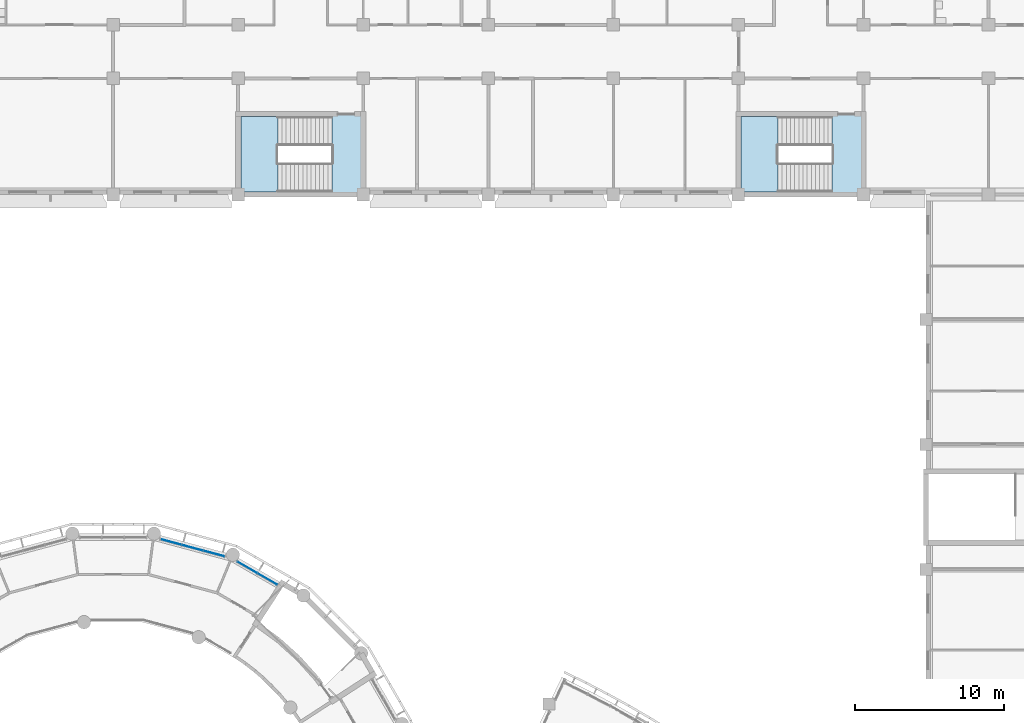
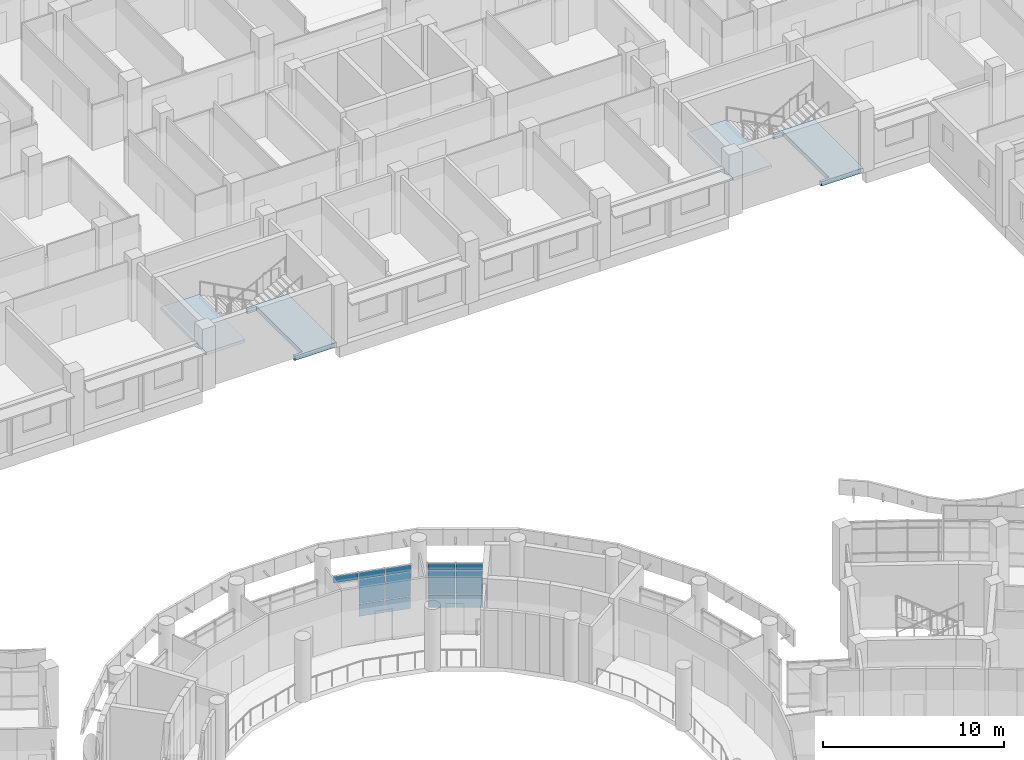
# One storey, part 40 of 109: 13 plates, 4 slabs, 4 elements without a shape of their own.
"""IFC4 building model written with IfcOpenShell, lengths in metres."""

import ifcopenshell
import ifcopenshell.guid

model = None  # the IFC model being written
_history = None  # IfcOwnerHistory: only IFC2X3 demands one
_inside = {}  # id of a spatial element -> (the spatial element, [elements in it])
_under = {}  # id of a project, library or spatial element -> (it, [spatial elements below it])
_declared = {}  # id of a project -> (the project, [libraries it declares])
_typed = {}  # id of a type object -> (the type object, [elements of that type])
_made_of = {}  # id of a material, layer set ... -> (it, [elements and type objects made of it])


def new_model(schema):
    """Start an empty IFC model of exactly this schema.

    Asked for "IFC4X3", IfcOpenShell would pick the latest addendum, in which some entities
    have other attributes; the version numbers below select the first issue.
    IFC2X3 requires an IfcOwnerHistory on every rooted entity: one is made here for all.
    """
    global model, _history
    if schema == "IFC4X3":
        model = ifcopenshell.file(schema_version=(4, 3, 0, 0))
    else:
        model = ifcopenshell.file(schema=schema)
    _inside.clear()
    _under.clear()
    _declared.clear()
    _typed.clear()
    _made_of.clear()
    _history = None
    if model.schema == "IFC2X3":
        org = make("IfcOrganization", Name="unknown")
        user = make(
            "IfcPersonAndOrganization",
            ThePerson=make("IfcPerson", FamilyName="unknown"),
            TheOrganization=org,
        )
        app = make(
            "IfcApplication",
            ApplicationDeveloper=org,
            Version="unknown",
            ApplicationFullName="unknown",
            ApplicationIdentifier="unknown",
        )
        _history = make(
            "IfcOwnerHistory",
            OwningUser=user,
            OwningApplication=app,
            ChangeAction="ADDED",
            CreationDate=0,
        )
    return model


def make(cls, **values):
    """One entity of the class cls with the attributes given. An attribute that is None is left unset."""
    return model.create_entity(
        cls, **{name: value for name, value in values.items() if value is not None}
    )


def rooted(cls, **values):
    """An entity with a GlobalId (a new one), such as an element, a storey or a relation."""
    return make(cls, GlobalId=ifcopenshell.guid.new(), OwnerHistory=_history, **values)


def si_unit(unit_type, name, prefix=None):
    """IfcSIUnit, for example si_unit("LENGTHUNIT", "METRE", prefix="MILLI")."""
    return make("IfcSIUnit", UnitType=unit_type, Prefix=prefix, Name=name)


def assignment(units):
    """IfcUnitAssignment: the units of a project."""
    return None if units is None else make("IfcUnitAssignment", Units=units)


def point(xyz):
    """IfcCartesianPoint."""
    return None if xyz is None else make("IfcCartesianPoint", Coordinates=xyz)


def direction(xyz):
    """IfcDirection."""
    return None if xyz is None else make("IfcDirection", DirectionRatios=xyz)


def frame(location, z_axis=None, x_axis=None):
    """IfcAxis2Placement3D, a coordinate frame: its origin and axes. An axis left out is left unset."""
    return make(
        "IfcAxis2Placement3D",
        Location=point(location),
        Axis=direction(z_axis),
        RefDirection=direction(x_axis),
    )


def frame_2d(location, x_axis=None):
    """IfcAxis2Placement2D, a coordinate frame in the plane: its origin and x axis."""
    return make(
        "IfcAxis2Placement2D", Location=point(location), RefDirection=direction(x_axis)
    )


def origin():
    """The frame at (0, 0, 0) with its axes left unset."""
    return frame((0.0, 0.0, 0.0))


def origin_2d():
    """The frame at (0, 0) in the plane with its x axis left unset."""
    return frame_2d((0.0, 0.0))


def place(relative_to, where):
    """IfcLocalPlacement: puts the frame where relative to a parent placement (None: the world)."""
    return make(
        "IfcLocalPlacement", PlacementRelTo=relative_to, RelativePlacement=where
    )


def context(
    kind, dimensions, precision=None, world=None, true_north=None, identifier=None
):
    """IfcGeometricRepresentationContext, for example the 3D "Model" context."""
    return make(
        "IfcGeometricRepresentationContext",
        ContextIdentifier=identifier,
        ContextType=kind,
        CoordinateSpaceDimension=dimensions,
        Precision=precision,
        WorldCoordinateSystem=world,
        TrueNorth=true_north,
    )


def subcontext(parent, identifier, kind, view, scale=None):
    """IfcGeometricRepresentationSubContext, for example "Body" below "Model"."""
    return make(
        "IfcGeometricRepresentationSubContext",
        ContextIdentifier=identifier,
        ContextType=kind,
        ParentContext=parent,
        TargetScale=scale,
        TargetView=view,
    )


def project(units=None, contexts=None):
    """IfcProject with its units and contexts."""
    return rooted(
        "IfcProject",
        Name="project",
        RepresentationContexts=contexts,
        UnitsInContext=assignment(units),
    )


def spatial(cls, under=None, at=None, **own):
    """A site, building, storey or space (cls), placed at a placement, below another one or the project."""
    s = rooted(cls, ObjectPlacement=at, **own)
    if under is not None:
        _under.setdefault(under.id(), (under, []))[1].append(s)
    return s


def polyline(points):
    """IfcPolyline through the points."""
    return make("IfcPolyline", Points=[point(p) for p in points])


def profile(cls, at=None, kind="AREA", **sizes):
    """A parametric profile (cls). Its sizes go by their IFC names, for example OverallWidth=200.0."""
    return make(cls, ProfileType=kind, Position=at, **sizes)


def rectangle(**sizes):
    """IfcRectangleProfileDef."""
    return profile("IfcRectangleProfileDef", **sizes)


def outline(outer, holes=None, kind="AREA"):
    """IfcArbitraryClosedProfileDef: a profile drawn as a closed curve; with holes, ...WithVoids."""
    if holes is None:
        return make("IfcArbitraryClosedProfileDef", ProfileType=kind, OuterCurve=outer)
    return make(
        "IfcArbitraryProfileDefWithVoids",
        ProfileType=kind,
        OuterCurve=outer,
        InnerCurves=holes,
    )


def extrude(swept, where, along, depth):
    """IfcExtrudedAreaSolid: the profile swept, set in the frame where, extruded along a direction by depth."""
    return make(
        "IfcExtrudedAreaSolid",
        SweptArea=swept,
        Position=where,
        ExtrudedDirection=direction(along),
        Depth=depth,
    )


def shape(context_of_items, identifier, shape_type, items):
    """IfcShapeRepresentation: the items that make up one representation, for example the "Body"."""
    return make(
        "IfcShapeRepresentation",
        ContextOfItems=context_of_items,
        RepresentationIdentifier=identifier,
        RepresentationType=shape_type,
        Items=items,
    )


def material(Name=None, Category=None):
    """IfcMaterial."""
    return make("IfcMaterial", Name=Name, Category=Category)


def layer(
    of_material, thickness, ventilated=None, Name=None, Category=None, Priority=None
):
    """IfcMaterialLayer: one layer of a wall or slab, of a material (None: an air gap)."""
    return make(
        "IfcMaterialLayer",
        Material=of_material,
        LayerThickness=thickness,
        IsVentilated=ventilated,
        Name=Name,
        Category=Category,
        Priority=Priority,
    )


def layer_set(layers, Name=None):
    """IfcMaterialLayerSet."""
    return make("IfcMaterialLayerSet", MaterialLayers=layers, LayerSetName=Name)


def made_of(thing, what):
    """Note that an element or type object is made of a material, layer set ...; save() writes the relation."""
    if what is not None:
        _made_of.setdefault(what.id(), (what, []))[1].append(thing)
    return thing


def type_object(cls, material=None, **own):
    """A type object (cls), such as IfcWallType, which elements share."""
    return made_of(rooted(cls, **own), material)


def element(
    cls,
    number,
    at=None,
    inside=None,
    cuts=None,
    type_object=None,
    material=None,
    context=None,
    identifier="Body",
    shape_type=None,
    held_by="IfcProductDefinitionShape",
    body=None,
    shapes=None,
    **own,
):
    """One element of the class cls, such as IfcWall. Its Tag is "e" and its number.

    at: its placement. inside: the storey or other place that contains it. cuts: it is an
    opening in that element (IfcRelVoidsElement). A single representation is given by context,
    identifier, shape_type and body (its items); several are given by shapes. held_by: the class
    of the entity that holds the representations. save() writes the other relations.
    """
    e = rooted(cls, Tag="e%d" % number, ObjectPlacement=at, **own)
    if body is not None:
        shapes = [shape(context, identifier, shape_type, body)]
    if shapes is not None:
        e.Representation = make(held_by, Representations=shapes)
    if inside is not None:
        _inside.setdefault(inside.id(), (inside, []))[1].append(e)
    if cuts is not None:
        rooted(
            "IfcRelVoidsElement", RelatingBuildingElement=cuts, RelatedOpeningElement=e
        )
    if type_object is not None:
        _typed.setdefault(type_object.id(), (type_object, []))[1].append(e)
    return made_of(e, material)


def aggregate(whole, parts):
    """IfcRelAggregates: a whole, such as a stair, and the parts it consists of."""
    return rooted("IfcRelAggregates", RelatingObject=whole, RelatedObjects=parts)


def save(model, path):
    """Write the relations noted so far, then the file.

    IfcRelAggregates (storeys below a building ...), IfcRelContainedInSpatialStructure (elements
    in a storey), IfcRelDefinesByType, IfcRelAssociatesMaterial and IfcRelDeclares: one each for
    every whole, place, type object, material and project.
    """
    for whole, parts in _under.values():
        aggregate(whole, parts)
    for where, things in _inside.values():
        rooted(
            "IfcRelContainedInSpatialStructure",
            RelatedElements=things,
            RelatingStructure=where,
        )
    for kind, things in _typed.values():
        rooted("IfcRelDefinesByType", RelatedObjects=things, RelatingType=kind)
    for what, things in _made_of.values():
        rooted("IfcRelAssociatesMaterial", RelatedObjects=things, RelatingMaterial=what)
    for by, libraries in _declared.values():
        rooted("IfcRelDeclares", RelatingContext=by, RelatedDefinitions=libraries)
    model.write(path)


model = new_model("IFC4")

# Units and contexts
model_context = context("Model", 3, precision=1e-05, world=origin(), true_north=direction((0.0, 1.0)))
body_context = subcontext(model_context, "Body", "Model", "MODEL_VIEW")
ifc_project = project(units=[si_unit("LENGTHUNIT", "METRE"), si_unit("AREAUNIT", "SQUARE_METRE"), si_unit("VOLUMEUNIT", "CUBIC_METRE"), si_unit("PLANEANGLEUNIT", "RADIAN"), si_unit("MASSUNIT", "GRAM", prefix="KILO")], contexts=[model_context])

# Site, building, storey
site_placement = place(None, origin())
site = spatial("IfcSite", under=ifc_project, at=site_placement, CompositionType="ELEMENT")
building_placement = place(site_placement, origin())
building = spatial("IfcBuilding", under=site, at=building_placement, Name="Bougainvillea Quay General Hospital", CompositionType="ELEMENT")
storey_placement = place(building_placement, frame((0.0, 0.0, 12.60009765625)))
storey = spatial("IfcBuildingStorey", under=building, at=storey_placement, Name="L02", CompositionType="ELEMENT", Elevation=12.60009765625)

# Curtain wall, plates
ifc_material_1 = material(Name="Aluminium curtain wall system, powder-coated glazed", Category="aluminium")
curtain_wall_type_1 = type_object("IfcCurtainWallType", Name="Unitised curtain wall CW-1585", PredefinedType="NOTDEFINED", material=ifc_material_1)
curtain_wall_1_placement = place(storey_placement, origin())
curtain_wall_1 = element("IfcCurtainWall", 1, at=curtain_wall_1_placement, inside=storey, type_object=curtain_wall_type_1, Name="CW-D 00", PredefinedType="NOTDEFINED")
ifc_material_2 = material(Name="Insulated aluminium spandrel panel, white", Category="aluminium")
ifc_layer_1 = layer(ifc_material_2, 0.028076171875)
ifc_layer_set_1 = layer_set([ifc_layer_1], Name="Insulated aluminium spandrel panel, white")
plate_type_1 = type_object("IfcPlateType", Name="Insulated spandrel panel white 28", PredefinedType="CURTAIN_PANEL", material=ifc_layer_set_1)
plate_1_placement = place(storey_placement, frame((119.56396484375, 91.768310546875, 0.059814453125), z_axis=(0.0, 0.0, 1.0), x_axis=(-0.866045865692, 0.499964557262, 0.0)))
plate_1 = element("IfcPlate", 2, at=plate_1_placement, type_object=plate_type_1, Name="CW-D spandrel panel 1.1", PredefinedType="CURTAIN_PANEL", context=body_context, shape_type="SweptSolid", body=[
    extrude(rectangle(XDim=1.494873046875, YDim=0.028076171875, at=origin_2d()), origin(), (0.0, 0.0, 1.0), 0.81005859375),
])
plate_2_placement = place(storey_placement, frame((119.56396484375, 91.768310546875, 2.580078125), z_axis=(0.0, 0.0, 1.0), x_axis=(-0.866045865692, 0.499964557262, 0.0)))
plate_2 = element("IfcPlate", 3, at=plate_2_placement, type_object=plate_type_1, Name="CW-D spandrel panel 1.3", PredefinedType="CURTAIN_PANEL", context=body_context, shape_type="SweptSolid", body=[
    extrude(rectangle(XDim=1.494873046875, YDim=0.028076171875, at=origin_2d()), origin(), (0.0, 0.0, 1.0), 0.409912109375),
])
plate_3_placement = place(storey_placement, frame((118.21728515625, 92.5458984375, 0.059814453125), z_axis=(0.0, 0.0, 1.0), x_axis=(-0.866045865692, 0.499964557262, 0.0)))
plate_3 = element("IfcPlate", 4, at=plate_3_placement, type_object=plate_type_1, Name="CW-D spandrel panel 2.1", PredefinedType="CURTAIN_PANEL", context=body_context, shape_type="SweptSolid", body=[
    extrude(rectangle(XDim=1.494873046875, YDim=0.028076171875, at=origin_2d()), origin(), (0.0, 0.0, 1.0), 0.81005859375),
])
plate_4_placement = place(storey_placement, frame((118.21728515625, 92.5458984375, 2.580078125), z_axis=(0.0, 0.0, 1.0), x_axis=(-0.866045865692, 0.499964557262, 0.0)))
plate_4 = element("IfcPlate", 5, at=plate_4_placement, type_object=plate_type_1, Name="CW-D spandrel panel 2.3", PredefinedType="CURTAIN_PANEL", context=body_context, shape_type="SweptSolid", body=[
    extrude(rectangle(XDim=1.494873046875, YDim=0.028076171875, at=origin_2d()), origin(), (0.0, 0.0, 1.0), 0.409912109375),
])

curtain_wall_type_2 = type_object("IfcCurtainWallType", Name="Unitised curtain wall CW-1514", PredefinedType="NOTDEFINED", material=ifc_material_1)
curtain_wall_2_placement = place(storey_placement, origin())
curtain_wall_2 = element("IfcCurtainWall", 6, at=curtain_wall_2_placement, inside=storey, type_object=curtain_wall_type_2, Name="CW-D 00", PredefinedType="NOTDEFINED")
plate_5_placement = place(storey_placement, frame((115.9716796875, 93.48095703125, 0.059814453125), z_axis=(0.0, 0.0, 1.0), x_axis=(-0.965916292974, 0.258854621298, 0.0)))
plate_5 = element("IfcPlate", 7, at=plate_5_placement, type_object=plate_type_1, Name="CW-D spandrel panel 1.1", PredefinedType="CURTAIN_PANEL", context=body_context, shape_type="SweptSolid", body=[
    extrude(rectangle(XDim=1.423828125, YDim=0.028076171875, at=origin_2d()), origin(), (0.0, 0.0, 1.0), 0.81005859375),
])
plate_6_placement = place(storey_placement, frame((115.9716796875, 93.48095703125, 2.580078125), z_axis=(0.0, 0.0, 1.0), x_axis=(-0.965916292974, 0.258854621298, 0.0)))
plate_6 = element("IfcPlate", 8, at=plate_6_placement, type_object=plate_type_1, Name="CW-D spandrel panel 1.3", PredefinedType="CURTAIN_PANEL", context=body_context, shape_type="SweptSolid", body=[
    extrude(rectangle(XDim=1.423828125, YDim=0.028076171875, at=origin_2d()), origin(), (0.0, 0.0, 1.0), 0.409912109375),
])
plate_7_placement = place(storey_placement, frame((114.523681640625, 93.869140625, 0.059814453125), z_axis=(0.0, 0.0, 1.0), x_axis=(-0.965916292974, 0.258854621298, 0.0)))
plate_7 = element("IfcPlate", 9, at=plate_7_placement, type_object=plate_type_1, Name="CW-D spandrel panel 2.1", PredefinedType="CURTAIN_PANEL", context=body_context, shape_type="SweptSolid", body=[
    extrude(rectangle(XDim=1.453857421875, YDim=0.028076171875, at=origin_2d()), origin(), (0.0, 0.0, 1.0), 0.81005859375),
])
plate_8_placement = place(storey_placement, frame((114.523681640625, 93.869140625, 2.580078125), z_axis=(0.0, 0.0, 1.0), x_axis=(-0.965916292974, 0.258854621298, 0.0)))
plate_8 = element("IfcPlate", 10, at=plate_8_placement, type_object=plate_type_1, Name="CW-D spandrel panel 2.3", PredefinedType="CURTAIN_PANEL", context=body_context, shape_type="SweptSolid", body=[
    extrude(rectangle(XDim=1.453857421875, YDim=0.028076171875, at=origin_2d()), origin(), (0.0, 0.0, 1.0), 0.409912109375),
])
plate_9_placement = place(storey_placement, frame((113.075927734375, 94.257080078125, 2.580078125), z_axis=(0.0, 0.0, 1.0), x_axis=(-0.965916292974, 0.258854621298, 0.0)))
plate_9 = element("IfcPlate", 11, at=plate_9_placement, type_object=plate_type_1, Name="CW-D spandrel panel 3.3", PredefinedType="CURTAIN_PANEL", context=body_context, shape_type="SweptSolid", body=[
    extrude(rectangle(XDim=1.423828125, YDim=0.028076171875, at=origin_2d()), origin(), (0.0, 0.0, 1.0), 0.409912109375),
])

# Plate
ifc_material_3 = material(Name="Low-e laminated glass, solar control", Category="glass")
ifc_layer_2 = layer(ifc_material_3, 0.028076171875)
ifc_layer_set_2 = layer_set([ifc_layer_2], Name="Low-e laminated glass, solar control")
plate_type_2 = type_object("IfcPlateType", Name="Low-e laminated vision glass 28", PredefinedType="CURTAIN_PANEL", material=ifc_layer_set_2)
plate_10_placement = place(storey_placement, frame((119.56396484375, 91.768310546875, 0.9296875), z_axis=(0.0, 0.0, 1.0), x_axis=(-0.866045865692, 0.499964557262, 0.0)))
plate_10 = element("IfcPlate", 12, at=plate_10_placement, type_object=plate_type_2, Name="CW-D vision glass panel 1.2", PredefinedType="CURTAIN_PANEL", context=body_context, shape_type="SweptSolid", body=[
    extrude(rectangle(XDim=1.494873046875, YDim=0.028076171875, at=origin_2d()), origin(), (0.0, 0.0, 1.0), 1.590087890625),
])

plate_11_placement = place(storey_placement, frame((118.21728515625, 92.5458984375, 0.9296875), z_axis=(0.0, 0.0, 1.0), x_axis=(-0.866045865692, 0.499964557262, 0.0)))
plate_11 = element("IfcPlate", 13, at=plate_11_placement, type_object=plate_type_2, Name="CW-D vision glass panel 2.2", PredefinedType="CURTAIN_PANEL", context=body_context, shape_type="SweptSolid", body=[
    extrude(rectangle(XDim=1.494873046875, YDim=0.028076171875, at=origin_2d()), origin(), (0.0, 0.0, 1.0), 1.590087890625),
])

aggregate(curtain_wall_1, [plate_1, plate_10, plate_2, plate_3, plate_11, plate_4])

plate_12_placement = place(storey_placement, frame((115.9716796875, 93.48095703125, 0.9296875), z_axis=(0.0, 0.0, 1.0), x_axis=(-0.965916292974, 0.258854621298, 0.0)))
plate_12 = element("IfcPlate", 14, at=plate_12_placement, type_object=plate_type_2, Name="CW-D vision glass panel 1.2", PredefinedType="CURTAIN_PANEL", context=body_context, shape_type="SweptSolid", body=[
    extrude(rectangle(XDim=1.423828125, YDim=0.028076171875, at=origin_2d()), origin(), (0.0, 0.0, 1.0), 1.590087890625),
])

plate_13_placement = place(storey_placement, frame((114.523681640625, 93.869140625, 0.9296875), z_axis=(0.0, 0.0, 1.0), x_axis=(-0.965916292974, 0.258854621298, 0.0)))
plate_13 = element("IfcPlate", 15, at=plate_13_placement, type_object=plate_type_2, Name="CW-D vision glass panel 2.2", PredefinedType="CURTAIN_PANEL", context=body_context, shape_type="SweptSolid", body=[
    extrude(rectangle(XDim=1.453857421875, YDim=0.028076171875, at=origin_2d()), origin(), (0.0, 0.0, 1.0), 1.590087890625),
])

aggregate(curtain_wall_2, [plate_5, plate_12, plate_6, plate_7, plate_13, plate_8, plate_9])

# Slabs
ifc_material_4 = material(Name="Concrete C35", Category="concrete")
ifc_layer_3 = layer(ifc_material_4, 0.300048828125)
ifc_layer_set_3 = layer_set([ifc_layer_3], Name="Concrete C35")
slab_type_1 = type_object("IfcSlabType", Name="RC FLAT SLAB 300 C35", PredefinedType="FLOOR", material=ifc_layer_set_3)
slab_1_placement = place(storey_placement, frame((0.0, 0.0, -0.300048828125)))
element("IfcSlab", 16, at=slab_1_placement, inside=storey, type_object=slab_type_1, Name="Stair landing floor ST-B3 L02", PredefinedType="FLOOR", context=body_context, shape_type="SweptSolid", body=[
    extrude(outline(polyline([(123.302978515625, 122.8837890625), (123.3115234375, 122.942138671875), (123.325927734375, 122.99951171875), (126.0, 123.0), (126.0, 117.60009765625), (123.325927734375, 117.600341796875), (123.3115234375, 117.657958984375), (123.302978515625, 117.71630859375), (123.300048828125, 117.77392578125), (123.900634765625, 117.7744140625), (123.900634765625, 122.82568359375), (123.300048828125, 122.825927734375), (123.302978515625, 122.8837890625)])), origin(), (0.0, 0.0, 1.0), 0.300048828125),
])
slab_2_placement = place(storey_placement, frame((0.0, 0.0, -0.300048828125)))
element("IfcSlab", 17, at=slab_2_placement, inside=storey, type_object=slab_type_1, Name="Stair landing floor ST-B4 L02", PredefinedType="FLOOR", context=body_context, shape_type="SweptSolid", body=[
    extrude(outline(polyline([(156.90283203125, 122.8837890625), (156.91162109375, 122.942138671875), (156.926025390625, 122.99951171875), (159.60009765625, 123.0), (159.60009765625, 117.60009765625), (156.926025390625, 117.600341796875), (156.91162109375, 117.657958984375), (156.90283203125, 117.71630859375), (156.89990234375, 117.77392578125), (157.500732421875, 117.7744140625), (157.500732421875, 122.82568359375), (156.89990234375, 122.825927734375), (156.90283203125, 122.8837890625)])), origin(), (0.0, 0.0, 1.0), 0.300048828125),
])

# Stair, slab
stair_type = type_object("IfcStairType", Name="Stair half-turn 1925 wide", PredefinedType="HALF_TURN_STAIR", material=ifc_material_4)
stair_1_placement = place(storey_placement, origin())
stair_1 = element("IfcStair", 18, at=stair_1_placement, inside=storey, type_object=stair_type, Name="L02 stair ST-B3", PredefinedType="HALF_TURN_STAIR")
ifc_layer_4 = layer(ifc_material_4, 0.199951171875)
ifc_layer_set_4 = layer_set([ifc_layer_4], Name="Concrete C35")
slab_type_2 = type_object("IfcSlabType", Name="Stair landing 200", PredefinedType="LANDING", material=ifc_layer_set_4)
slab_3_placement = place(storey_placement, frame((0.0, 0.0, 1.89990234375)))
slab_3 = element("IfcSlab", 19, at=slab_3_placement, type_object=slab_type_2, Name="ST-B3 landing 1", PredefinedType="LANDING", context=body_context, shape_type="SweptSolid", body=[
    extrude(outline(polyline([(120.260009765625, 122.824951171875), (117.77490234375, 122.824951171875), (117.77490234375, 117.77490234375), (120.260009765625, 117.77490234375), (120.260009765625, 122.824951171875)])), origin(), (0.0, 0.0, 1.0), 0.199951171875),
])
aggregate(stair_1, [slab_3])

stair_2_placement = place(storey_placement, origin())
stair_2 = element("IfcStair", 20, at=stair_2_placement, inside=storey, type_object=stair_type, Name="L02 stair ST-B4", PredefinedType="HALF_TURN_STAIR")
slab_4_placement = place(storey_placement, frame((0.0, 0.0, 1.89990234375)))
slab_4 = element("IfcSlab", 21, at=slab_4_placement, type_object=slab_type_2, Name="ST-B4 landing 1", PredefinedType="LANDING", context=body_context, shape_type="SweptSolid", body=[
    extrude(outline(polyline([(153.860107421875, 122.824951171875), (151.375, 122.824951171875), (151.375, 117.77490234375), (153.860107421875, 117.77490234375), (153.860107421875, 122.824951171875)])), origin(), (0.0, 0.0, 1.0), 0.199951171875),
])
aggregate(stair_2, [slab_4])

save(model, "model.ifc")
